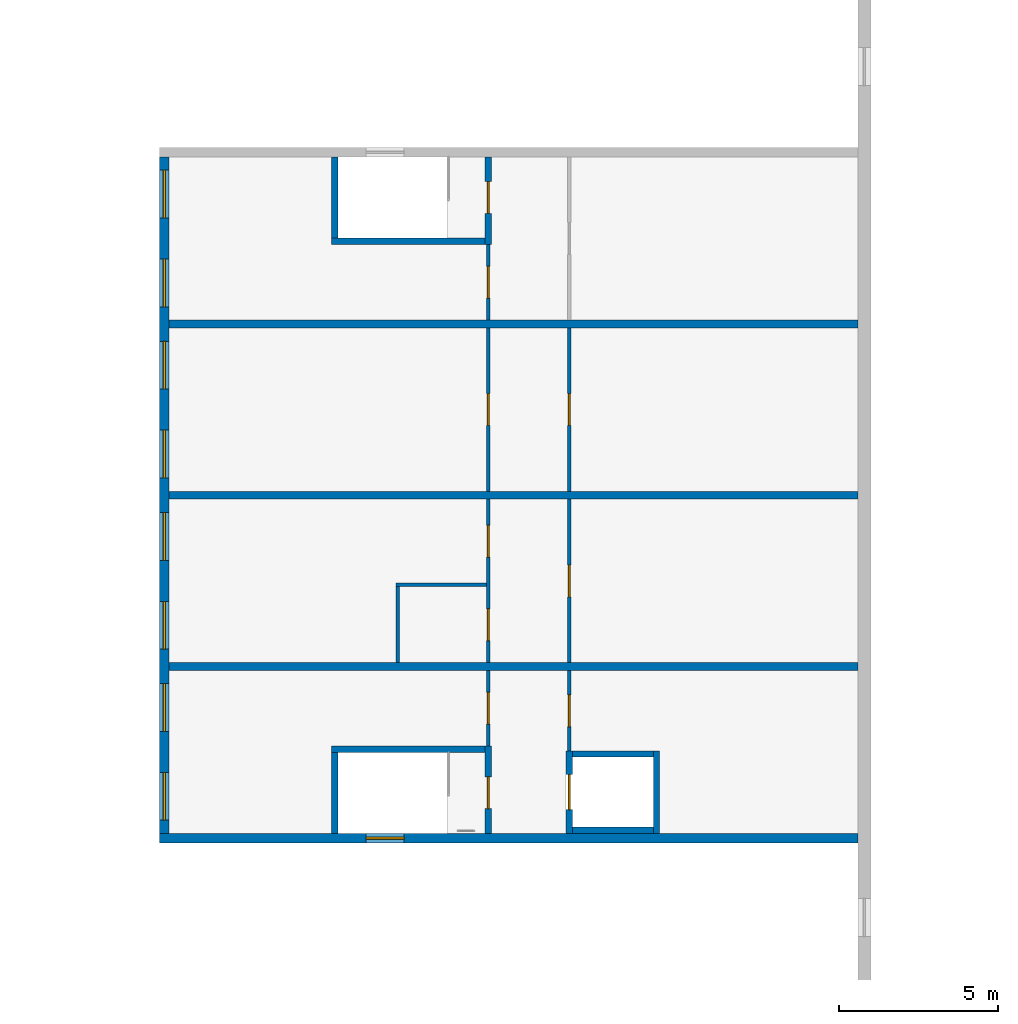
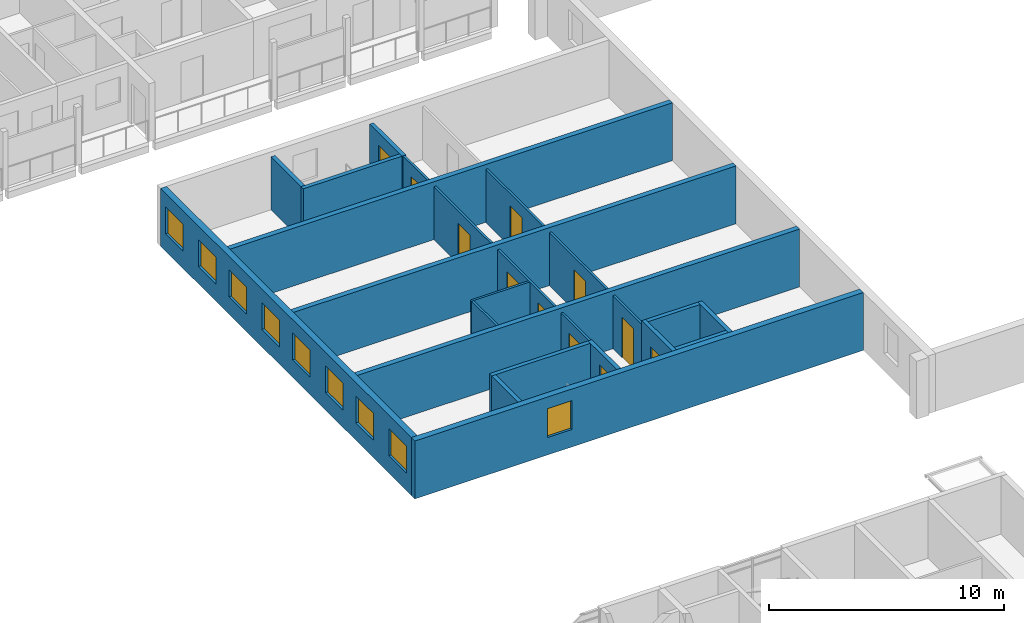
# One storey, part 58 of 122: 24 walls, 11 doors, 9 windows, 20 openings.
"""IFC4 building model written with IfcOpenShell, lengths in metres."""

import ifcopenshell
import ifcopenshell.guid

model = None  # the IFC model being written
_history = None  # IfcOwnerHistory: only IFC2X3 demands one
_inside = {}  # id of a spatial element -> (the spatial element, [elements in it])
_under = {}  # id of a project, library or spatial element -> (it, [spatial elements below it])
_declared = {}  # id of a project -> (the project, [libraries it declares])
_typed = {}  # id of a type object -> (the type object, [elements of that type])
_made_of = {}  # id of a material, layer set ... -> (it, [elements and type objects made of it])


def new_model(schema):
    """Start an empty IFC model of exactly this schema.

    Asked for "IFC4X3", IfcOpenShell would pick the latest addendum, in which some entities
    have other attributes; the version numbers below select the first issue.
    IFC2X3 requires an IfcOwnerHistory on every rooted entity: one is made here for all.
    """
    global model, _history
    if schema == "IFC4X3":
        model = ifcopenshell.file(schema_version=(4, 3, 0, 0))
    else:
        model = ifcopenshell.file(schema=schema)
    _inside.clear()
    _under.clear()
    _declared.clear()
    _typed.clear()
    _made_of.clear()
    _history = None
    if model.schema == "IFC2X3":
        org = make("IfcOrganization", Name="unknown")
        user = make(
            "IfcPersonAndOrganization",
            ThePerson=make("IfcPerson", FamilyName="unknown"),
            TheOrganization=org,
        )
        app = make(
            "IfcApplication",
            ApplicationDeveloper=org,
            Version="unknown",
            ApplicationFullName="unknown",
            ApplicationIdentifier="unknown",
        )
        _history = make(
            "IfcOwnerHistory",
            OwningUser=user,
            OwningApplication=app,
            ChangeAction="ADDED",
            CreationDate=0,
        )
    return model


def make(cls, **values):
    """One entity of the class cls with the attributes given. An attribute that is None is left unset."""
    return model.create_entity(
        cls, **{name: value for name, value in values.items() if value is not None}
    )


def rooted(cls, **values):
    """An entity with a GlobalId (a new one), such as an element, a storey or a relation."""
    return make(cls, GlobalId=ifcopenshell.guid.new(), OwnerHistory=_history, **values)


def si_unit(unit_type, name, prefix=None):
    """IfcSIUnit, for example si_unit("LENGTHUNIT", "METRE", prefix="MILLI")."""
    return make("IfcSIUnit", UnitType=unit_type, Prefix=prefix, Name=name)


def assignment(units):
    """IfcUnitAssignment: the units of a project."""
    return None if units is None else make("IfcUnitAssignment", Units=units)


def point(xyz):
    """IfcCartesianPoint."""
    return None if xyz is None else make("IfcCartesianPoint", Coordinates=xyz)


def direction(xyz):
    """IfcDirection."""
    return None if xyz is None else make("IfcDirection", DirectionRatios=xyz)


def frame(location, z_axis=None, x_axis=None):
    """IfcAxis2Placement3D, a coordinate frame: its origin and axes. An axis left out is left unset."""
    return make(
        "IfcAxis2Placement3D",
        Location=point(location),
        Axis=direction(z_axis),
        RefDirection=direction(x_axis),
    )


def frame_2d(location, x_axis=None):
    """IfcAxis2Placement2D, a coordinate frame in the plane: its origin and x axis."""
    return make(
        "IfcAxis2Placement2D", Location=point(location), RefDirection=direction(x_axis)
    )


def origin():
    """The frame at (0, 0, 0) with its axes left unset."""
    return frame((0.0, 0.0, 0.0))


def place(relative_to, where):
    """IfcLocalPlacement: puts the frame where relative to a parent placement (None: the world)."""
    return make(
        "IfcLocalPlacement", PlacementRelTo=relative_to, RelativePlacement=where
    )


def context(
    kind, dimensions, precision=None, world=None, true_north=None, identifier=None
):
    """IfcGeometricRepresentationContext, for example the 3D "Model" context."""
    return make(
        "IfcGeometricRepresentationContext",
        ContextIdentifier=identifier,
        ContextType=kind,
        CoordinateSpaceDimension=dimensions,
        Precision=precision,
        WorldCoordinateSystem=world,
        TrueNorth=true_north,
    )


def subcontext(parent, identifier, kind, view, scale=None):
    """IfcGeometricRepresentationSubContext, for example "Body" below "Model"."""
    return make(
        "IfcGeometricRepresentationSubContext",
        ContextIdentifier=identifier,
        ContextType=kind,
        ParentContext=parent,
        TargetScale=scale,
        TargetView=view,
    )


def project(units=None, contexts=None):
    """IfcProject with its units and contexts."""
    return rooted(
        "IfcProject",
        Name="project",
        RepresentationContexts=contexts,
        UnitsInContext=assignment(units),
    )


def spatial(cls, under=None, at=None, **own):
    """A site, building, storey or space (cls), placed at a placement, below another one or the project."""
    s = rooted(cls, ObjectPlacement=at, **own)
    if under is not None:
        _under.setdefault(under.id(), (under, []))[1].append(s)
    return s


def profile(cls, at=None, kind="AREA", **sizes):
    """A parametric profile (cls). Its sizes go by their IFC names, for example OverallWidth=200.0."""
    return make(cls, ProfileType=kind, Position=at, **sizes)


def rectangle(**sizes):
    """IfcRectangleProfileDef."""
    return profile("IfcRectangleProfileDef", **sizes)


def extrude(swept, where, along, depth):
    """IfcExtrudedAreaSolid: the profile swept, set in the frame where, extruded along a direction by depth."""
    return make(
        "IfcExtrudedAreaSolid",
        SweptArea=swept,
        Position=where,
        ExtrudedDirection=direction(along),
        Depth=depth,
    )


def shape(context_of_items, identifier, shape_type, items):
    """IfcShapeRepresentation: the items that make up one representation, for example the "Body"."""
    return make(
        "IfcShapeRepresentation",
        ContextOfItems=context_of_items,
        RepresentationIdentifier=identifier,
        RepresentationType=shape_type,
        Items=items,
    )


def material(Name=None, Category=None):
    """IfcMaterial."""
    return make("IfcMaterial", Name=Name, Category=Category)


def layer(
    of_material, thickness, ventilated=None, Name=None, Category=None, Priority=None
):
    """IfcMaterialLayer: one layer of a wall or slab, of a material (None: an air gap)."""
    return make(
        "IfcMaterialLayer",
        Material=of_material,
        LayerThickness=thickness,
        IsVentilated=ventilated,
        Name=Name,
        Category=Category,
        Priority=Priority,
    )


def layer_set(layers, Name=None):
    """IfcMaterialLayerSet."""
    return make("IfcMaterialLayerSet", MaterialLayers=layers, LayerSetName=Name)


def made_of(thing, what):
    """Note that an element or type object is made of a material, layer set ...; save() writes the relation."""
    if what is not None:
        _made_of.setdefault(what.id(), (what, []))[1].append(thing)
    return thing


def type_object(cls, material=None, **own):
    """A type object (cls), such as IfcWallType, which elements share."""
    return made_of(rooted(cls, **own), material)


def element(
    cls,
    number,
    at=None,
    inside=None,
    cuts=None,
    type_object=None,
    material=None,
    context=None,
    identifier="Body",
    shape_type=None,
    held_by="IfcProductDefinitionShape",
    body=None,
    shapes=None,
    **own,
):
    """One element of the class cls, such as IfcWall. Its Tag is "e" and its number.

    at: its placement. inside: the storey or other place that contains it. cuts: it is an
    opening in that element (IfcRelVoidsElement). A single representation is given by context,
    identifier, shape_type and body (its items); several are given by shapes. held_by: the class
    of the entity that holds the representations. save() writes the other relations.
    """
    e = rooted(cls, Tag="e%d" % number, ObjectPlacement=at, **own)
    if body is not None:
        shapes = [shape(context, identifier, shape_type, body)]
    if shapes is not None:
        e.Representation = make(held_by, Representations=shapes)
    if inside is not None:
        _inside.setdefault(inside.id(), (inside, []))[1].append(e)
    if cuts is not None:
        rooted(
            "IfcRelVoidsElement", RelatingBuildingElement=cuts, RelatedOpeningElement=e
        )
    if type_object is not None:
        _typed.setdefault(type_object.id(), (type_object, []))[1].append(e)
    return made_of(e, material)


def fill(opening, filler):
    """IfcRelFillsElement: the door or window that sits in an opening."""
    return rooted(
        "IfcRelFillsElement",
        RelatingOpeningElement=opening,
        RelatedBuildingElement=filler,
    )


def aggregate(whole, parts):
    """IfcRelAggregates: a whole, such as a stair, and the parts it consists of."""
    return rooted("IfcRelAggregates", RelatingObject=whole, RelatedObjects=parts)


def save(model, path):
    """Write the relations noted so far, then the file.

    IfcRelAggregates (storeys below a building ...), IfcRelContainedInSpatialStructure (elements
    in a storey), IfcRelDefinesByType, IfcRelAssociatesMaterial and IfcRelDeclares: one each for
    every whole, place, type object, material and project.
    """
    for whole, parts in _under.values():
        aggregate(whole, parts)
    for where, things in _inside.values():
        rooted(
            "IfcRelContainedInSpatialStructure",
            RelatedElements=things,
            RelatingStructure=where,
        )
    for kind, things in _typed.values():
        rooted("IfcRelDefinesByType", RelatedObjects=things, RelatingType=kind)
    for what, things in _made_of.values():
        rooted("IfcRelAssociatesMaterial", RelatedObjects=things, RelatingMaterial=what)
    for by, libraries in _declared.values():
        rooted("IfcRelDeclares", RelatingContext=by, RelatedDefinitions=libraries)
    model.write(path)


model = new_model("IFC4")

# Units and contexts
model_context = context("Model", 3, precision=1e-05, world=origin(), true_north=direction((0.0, 1.0)))
body_context = subcontext(model_context, "Body", "Model", "MODEL_VIEW")
ifc_project = project(units=[si_unit("LENGTHUNIT", "METRE"), si_unit("AREAUNIT", "SQUARE_METRE"), si_unit("VOLUMEUNIT", "CUBIC_METRE"), si_unit("PLANEANGLEUNIT", "RADIAN"), si_unit("MASSUNIT", "GRAM", prefix="KILO")], contexts=[model_context])

# Site, building, storey
site_placement = place(None, origin())
site = spatial("IfcSite", under=ifc_project, at=site_placement, CompositionType="ELEMENT")
building_placement = place(site_placement, origin())
building = spatial("IfcBuilding", under=site, at=building_placement, Name="Ridgestep Commons", CompositionType="ELEMENT")
storey_placement = place(building_placement, frame((0.0, 0.0, 3.0)))
storey = spatial("IfcBuildingStorey", under=building, at=storey_placement, Name="L01", CompositionType="ELEMENT", Elevation=3.0)

# Walls
ifc_material_1 = material(Name="Precast concrete C40/50", Category="concrete")
ifc_layer_1 = layer(ifc_material_1, 0.25)
ifc_layer_set_1 = layer_set([ifc_layer_1], Name="Annex cross wall 250")
wall_type_1 = type_object("IfcWallType", Name="Annex cross wall 250", PredefinedType="SOLIDWALL", material=ifc_layer_set_1)
for number, where, z_axis, x_axis, name in (
    (1, (114.39990234375, 43.0, 0.0), (0.0, 0.0, 1.0), (-1.0, 0.0, 0.0), "Annex cross wall 250"),
    (2, (114.39990234375, 48.39990234375, 0.0), (0.0, 0.0, 1.0), (-1.0, 0.0, 0.0), "Annex cross wall 250"),
    (3, (114.39990234375, 53.800048828125, 0.0), (0.0, 0.0, 1.0), (-1.0, 0.0, 0.0), "Annex cross wall 250"),
):
    element("IfcWall", number, at=place(storey_placement, frame(where, z_axis=z_axis, x_axis=x_axis)), inside=storey, type_object=wall_type_1, Name=name, PredefinedType="SOLIDWALL", context=body_context, shape_type="SweptSolid", body=[
        extrude(rectangle(XDim=21.699951171875, YDim=0.25, at=frame_2d((10.85009765625, 0.0))), origin(), (0.0, 0.0, 1.0), 3.0),
    ])

# Wall, opening, window
ifc_material_2 = material(Name="Precast concrete C40/50", Category="concrete")
ifc_layer_2 = layer(ifc_material_2, 0.300048828125)
ifc_layer_set_2 = layer_set([ifc_layer_2], Name="Annex wall 300")
wall_type_2 = type_object("IfcWallType", Name="Annex wall 300", PredefinedType="SOLIDWALL", material=ifc_layer_set_2)
wall_1_placement = place(storey_placement, frame((114.39990234375, 37.60009765625, 0.0), z_axis=(0.0, 0.0, 1.0), x_axis=(-1.0, 0.0, 0.0)))
wall_1 = element("IfcWall", 4, at=wall_1_placement, inside=storey, type_object=wall_type_2, Name="Annex wall 300", PredefinedType="SOLIDWALL", context=body_context, shape_type="SweptSolid", body=[
    extrude(rectangle(XDim=22.0, YDim=0.300048828125, at=frame_2d((11.0, 0.0))), origin(), (0.0, 0.0, 1.0), 3.0),
])
opening_1_placement = place(wall_1_placement, frame((14.298095703125, 0.0, 0.89990234375)))
opening_1 = element("IfcOpeningElement", 5, at=opening_1_placement, cuts=wall_1, Name="Opening WK1", PredefinedType="OPENING", context=body_context, shape_type="SweptSolid", body=[
    extrude(rectangle(XDim=1.199951171875, YDim=1.5, at=frame_2d((0.60009765625, 0.75))), frame((0.0, 0.159912109375, 0.0), z_axis=(0.0, -1.0, 0.0), x_axis=(1.0, 0.0, 0.0)), (0.0, 0.0, 1.0), 0.320068359375),
])
ifc_material_3 = material(Name="Aluminium and glass", Category="aluminium")
window_type_1 = type_object("IfcWindowType", Name="Community window 1200 x 1500", PartitioningType="SINGLE_PANEL", PredefinedType="WINDOW", material=ifc_material_3)
window_1_placement = place(opening_1_placement, origin())
window_1 = element("IfcWindow", 6, at=window_1_placement, inside=storey, type_object=window_type_1, Name="Community window 1200 x 1500", OverallHeight=1.5, OverallWidth=1.199951171875, PartitioningType="SINGLE_PANEL", PredefinedType="WINDOW", context=body_context, shape_type="SweptSolid", body=[
    extrude(rectangle(XDim=1.199951171875, YDim=1.5, at=frame_2d((0.60009765625, 0.75))), frame((0.0, 0.030029296875, 0.0), z_axis=(0.0, -1.0, 0.0), x_axis=(1.0, 0.0, 0.0)), (0.0, 0.0, 1.0), 0.06005859375),
])
fill(opening_1, window_1)

# Wall, openings, windows
wall_2_placement = place(storey_placement, frame((92.550048828125, 37.75, 0.0), z_axis=(0.0, 0.0, 1.0), x_axis=(0.0, 1.0, 0.0)))
wall_2 = element("IfcWall", 7, at=wall_2_placement, inside=storey, type_object=wall_type_2, Name="Annex wall 300", PredefinedType="SOLIDWALL", context=body_context, shape_type="SweptSolid", body=[
    extrude(rectangle(XDim=21.300048828125, YDim=0.300048828125, at=frame_2d((10.64990234375, 0.0))), origin(), (0.0, 0.0, 1.0), 3.0),
])
opening_2_placement = place(wall_2_placement, frame((0.41259765625, 0.0, 0.89990234375)))
opening_2 = element("IfcOpeningElement", 8, at=opening_2_placement, cuts=wall_2, Name="Opening WK2", PredefinedType="OPENING", context=body_context, shape_type="SweptSolid", body=[
    extrude(rectangle(XDim=1.5, YDim=1.39990234375, at=frame_2d((0.75, 0.699951171875))), frame((0.0, 0.159912109375, 0.0), z_axis=(0.0, -1.0, 0.0), x_axis=(1.0, 0.0, 0.0)), (0.0, 0.0, 1.0), 0.320068359375),
])
opening_3_placement = place(wall_2_placement, frame((3.21240234375, 0.0, 0.89990234375)))
opening_3 = element("IfcOpeningElement", 9, at=opening_3_placement, cuts=wall_2, Name="Opening WK2", PredefinedType="OPENING", context=body_context, shape_type="SweptSolid", body=[
    extrude(rectangle(XDim=1.5, YDim=1.39990234375, at=frame_2d((0.75, 0.699951171875))), frame((0.0, 0.159912109375, 0.0), z_axis=(0.0, -1.0, 0.0), x_axis=(1.0, 0.0, 0.0)), (0.0, 0.0, 1.0), 0.320068359375),
])
opening_4_placement = place(wall_2_placement, frame((5.800048828125, 0.0, 0.89990234375)))
opening_4 = element("IfcOpeningElement", 10, at=opening_4_placement, cuts=wall_2, Name="Opening WK2", PredefinedType="OPENING", context=body_context, shape_type="SweptSolid", body=[
    extrude(rectangle(XDim=1.5, YDim=1.39990234375, at=frame_2d((0.75, 0.699951171875))), frame((0.0, 0.159912109375, 0.0), z_axis=(0.0, -1.0, 0.0), x_axis=(1.0, 0.0, 0.0)), (0.0, 0.0, 1.0), 0.320068359375),
])
opening_5_placement = place(wall_2_placement, frame((8.60009765625, 0.0, 0.89990234375)))
opening_5 = element("IfcOpeningElement", 11, at=opening_5_placement, cuts=wall_2, Name="Opening WK2", PredefinedType="OPENING", context=body_context, shape_type="SweptSolid", body=[
    extrude(rectangle(XDim=1.5, YDim=1.39990234375, at=frame_2d((0.75, 0.699951171875))), frame((0.0, 0.159912109375, 0.0), z_axis=(0.0, -1.0, 0.0), x_axis=(1.0, 0.0, 0.0)), (0.0, 0.0, 1.0), 0.320068359375),
])
opening_6_placement = place(wall_2_placement, frame((11.199951171875, 0.0, 0.89990234375)))
opening_6 = element("IfcOpeningElement", 12, at=opening_6_placement, cuts=wall_2, Name="Opening WK2", PredefinedType="OPENING", context=body_context, shape_type="SweptSolid", body=[
    extrude(rectangle(XDim=1.5, YDim=1.39990234375, at=frame_2d((0.75, 0.699951171875))), frame((0.0, 0.159912109375, 0.0), z_axis=(0.0, -1.0, 0.0), x_axis=(1.0, 0.0, 0.0)), (0.0, 0.0, 1.0), 0.320068359375),
])
opening_7_placement = place(wall_2_placement, frame((14.0, 0.0, 0.89990234375)))
opening_7 = element("IfcOpeningElement", 13, at=opening_7_placement, cuts=wall_2, Name="Opening WK2", PredefinedType="OPENING", context=body_context, shape_type="SweptSolid", body=[
    extrude(rectangle(XDim=1.5, YDim=1.39990234375, at=frame_2d((0.75, 0.699951171875))), frame((0.0, 0.159912109375, 0.0), z_axis=(0.0, -1.0, 0.0), x_axis=(1.0, 0.0, 0.0)), (0.0, 0.0, 1.0), 0.320068359375),
])
opening_8_placement = place(wall_2_placement, frame((16.58740234375, 0.0, 0.89990234375)))
opening_8 = element("IfcOpeningElement", 14, at=opening_8_placement, cuts=wall_2, Name="Opening WK2", PredefinedType="OPENING", context=body_context, shape_type="SweptSolid", body=[
    extrude(rectangle(XDim=1.5, YDim=1.39990234375, at=frame_2d((0.75, 0.699951171875))), frame((0.0, 0.159912109375, 0.0), z_axis=(0.0, -1.0, 0.0), x_axis=(1.0, 0.0, 0.0)), (0.0, 0.0, 1.0), 0.320068359375),
])
opening_9_placement = place(wall_2_placement, frame((19.387451171875, 0.0, 0.89990234375)))
opening_9 = element("IfcOpeningElement", 15, at=opening_9_placement, cuts=wall_2, Name="Opening WK2", PredefinedType="OPENING", context=body_context, shape_type="SweptSolid", body=[
    extrude(rectangle(XDim=1.5, YDim=1.39990234375, at=frame_2d((0.75, 0.699951171875))), frame((0.0, 0.159912109375, 0.0), z_axis=(0.0, -1.0, 0.0), x_axis=(1.0, 0.0, 0.0)), (0.0, 0.0, 1.0), 0.320068359375),
])
ifc_material_4 = material(Name="Aluminium and glass", Category="aluminium")
window_type_2 = type_object("IfcWindowType", Name="Community window 1500 x 1400", PartitioningType="DOUBLE_PANEL_HORIZONTAL", PredefinedType="WINDOW", material=ifc_material_4)
window_2_placement = place(opening_2_placement, origin())
window_2 = element("IfcWindow", 16, at=window_2_placement, inside=storey, type_object=window_type_2, Name="Community window 1500 x 1400", OverallHeight=1.39990234375, OverallWidth=1.5, PartitioningType="SINGLE_PANEL", PredefinedType="WINDOW", context=body_context, shape_type="SweptSolid", body=[
    extrude(rectangle(XDim=1.5, YDim=1.39990234375, at=frame_2d((0.75, 0.699951171875))), frame((0.0, 0.030029296875, 0.0), z_axis=(0.0, -1.0, 0.0), x_axis=(1.0, 0.0, 0.0)), (0.0, 0.0, 1.0), 0.06005859375),
])
fill(opening_2, window_2)
window_3_placement = place(opening_3_placement, origin())
window_3 = element("IfcWindow", 17, at=window_3_placement, inside=storey, type_object=window_type_2, Name="Community window 1500 x 1400", OverallHeight=1.39990234375, OverallWidth=1.5, PartitioningType="SINGLE_PANEL", PredefinedType="WINDOW", context=body_context, shape_type="SweptSolid", body=[
    extrude(rectangle(XDim=1.5, YDim=1.39990234375, at=frame_2d((0.75, 0.699951171875))), frame((0.0, 0.030029296875, 0.0), z_axis=(0.0, -1.0, 0.0), x_axis=(1.0, 0.0, 0.0)), (0.0, 0.0, 1.0), 0.06005859375),
])
fill(opening_3, window_3)
window_4_placement = place(opening_4_placement, origin())
window_4 = element("IfcWindow", 18, at=window_4_placement, inside=storey, type_object=window_type_2, Name="Community window 1500 x 1400", OverallHeight=1.39990234375, OverallWidth=1.5, PartitioningType="SINGLE_PANEL", PredefinedType="WINDOW", context=body_context, shape_type="SweptSolid", body=[
    extrude(rectangle(XDim=1.5, YDim=1.39990234375, at=frame_2d((0.75, 0.699951171875))), frame((0.0, 0.030029296875, 0.0), z_axis=(0.0, -1.0, 0.0), x_axis=(1.0, 0.0, 0.0)), (0.0, 0.0, 1.0), 0.06005859375),
])
fill(opening_4, window_4)
window_5_placement = place(opening_5_placement, origin())
window_5 = element("IfcWindow", 19, at=window_5_placement, inside=storey, type_object=window_type_2, Name="Community window 1500 x 1400", OverallHeight=1.39990234375, OverallWidth=1.5, PartitioningType="SINGLE_PANEL", PredefinedType="WINDOW", context=body_context, shape_type="SweptSolid", body=[
    extrude(rectangle(XDim=1.5, YDim=1.39990234375, at=frame_2d((0.75, 0.699951171875))), frame((0.0, 0.030029296875, 0.0), z_axis=(0.0, -1.0, 0.0), x_axis=(1.0, 0.0, 0.0)), (0.0, 0.0, 1.0), 0.06005859375),
])
fill(opening_5, window_5)
window_6_placement = place(opening_6_placement, origin())
window_6 = element("IfcWindow", 20, at=window_6_placement, inside=storey, type_object=window_type_2, Name="Community window 1500 x 1400", OverallHeight=1.39990234375, OverallWidth=1.5, PartitioningType="SINGLE_PANEL", PredefinedType="WINDOW", context=body_context, shape_type="SweptSolid", body=[
    extrude(rectangle(XDim=1.5, YDim=1.39990234375, at=frame_2d((0.75, 0.699951171875))), frame((0.0, 0.030029296875, 0.0), z_axis=(0.0, -1.0, 0.0), x_axis=(1.0, 0.0, 0.0)), (0.0, 0.0, 1.0), 0.06005859375),
])
fill(opening_6, window_6)
window_7_placement = place(opening_7_placement, origin())
window_7 = element("IfcWindow", 21, at=window_7_placement, inside=storey, type_object=window_type_2, Name="Community window 1500 x 1400", OverallHeight=1.39990234375, OverallWidth=1.5, PartitioningType="SINGLE_PANEL", PredefinedType="WINDOW", context=body_context, shape_type="SweptSolid", body=[
    extrude(rectangle(XDim=1.5, YDim=1.39990234375, at=frame_2d((0.75, 0.699951171875))), frame((0.0, 0.030029296875, 0.0), z_axis=(0.0, -1.0, 0.0), x_axis=(1.0, 0.0, 0.0)), (0.0, 0.0, 1.0), 0.06005859375),
])
fill(opening_7, window_7)
window_8_placement = place(opening_8_placement, origin())
window_8 = element("IfcWindow", 22, at=window_8_placement, inside=storey, type_object=window_type_2, Name="Community window 1500 x 1400", OverallHeight=1.39990234375, OverallWidth=1.5, PartitioningType="SINGLE_PANEL", PredefinedType="WINDOW", context=body_context, shape_type="SweptSolid", body=[
    extrude(rectangle(XDim=1.5, YDim=1.39990234375, at=frame_2d((0.75, 0.699951171875))), frame((0.0, 0.030029296875, 0.0), z_axis=(0.0, -1.0, 0.0), x_axis=(1.0, 0.0, 0.0)), (0.0, 0.0, 1.0), 0.06005859375),
])
fill(opening_8, window_8)
window_9_placement = place(opening_9_placement, origin())
window_9 = element("IfcWindow", 23, at=window_9_placement, inside=storey, type_object=window_type_2, Name="Community window 1500 x 1400", OverallHeight=1.39990234375, OverallWidth=1.5, PartitioningType="SINGLE_PANEL", PredefinedType="WINDOW", context=body_context, shape_type="SweptSolid", body=[
    extrude(rectangle(XDim=1.5, YDim=1.39990234375, at=frame_2d((0.75, 0.699951171875))), frame((0.0, 0.030029296875, 0.0), z_axis=(0.0, -1.0, 0.0), x_axis=(1.0, 0.0, 0.0)), (0.0, 0.0, 1.0), 0.06005859375),
])
fill(opening_9, window_9)

# Wall, opening, door
ifc_material_5 = material(Name="Common brick 110 mm", Category="masonry")
ifc_layer_3 = layer(ifc_material_5, 0.110107421875)
ifc_layer_set_3 = layer_set([ifc_layer_3], Name="Community partition 110")
wall_type_3 = type_object("IfcWallType", Name="Community partition 110", PredefinedType="PARTITIONING", material=ifc_layer_set_3)
wall_3_placement = place(storey_placement, frame((105.300048828125, 40.35009765625, 0.0), z_axis=(0.0, 0.0, 1.0), x_axis=(0.0, 1.0, 0.0)))
wall_3 = element("IfcWall", 24, at=wall_3_placement, inside=storey, type_object=wall_type_3, Name="Community partition 110", PredefinedType="PARTITIONING", context=body_context, shape_type="SweptSolid", body=[
    extrude(rectangle(XDim=2.52490234375, YDim=0.110107421875, at=frame_2d((1.262451171875, 0.0))), origin(), (0.0, 0.0, 1.0), 2.75),
])
opening_10_placement = place(wall_3_placement, frame((0.762451171875, 0.0, 0.0)))
opening_10 = element("IfcOpeningElement", 25, at=opening_10_placement, cuts=wall_3, Name="Opening C063", PredefinedType="OPENING", context=body_context, shape_type="SweptSolid", body=[
    extrude(rectangle(XDim=1.0, YDim=2.10009765625, at=frame_2d((0.5, 1.050048828125))), frame((0.0, 0.06494140625, 0.0), z_axis=(0.0, -1.0, 0.0), x_axis=(1.0, 0.0, 0.0)), (0.0, 0.0, 1.0), 0.130126953125),
])
ifc_material_6 = material(Name="Timber and steel", Category="steel")
door_type_1 = type_object("IfcDoorType", Name="Community fire door 1000 x 2100", OperationType="SINGLE_SWING_LEFT", PredefinedType="DOOR", material=ifc_material_6)
door_1_placement = place(opening_10_placement, origin())
door_1 = element("IfcDoor", 26, at=door_1_placement, inside=storey, type_object=door_type_1, Name="Community fire door 1000 x 2100", OperationType="SINGLE_SWING_RIGHT", OverallHeight=2.10009765625, OverallWidth=1.0, PredefinedType="DOOR", context=body_context, shape_type="SweptSolid", body=[
    extrude(rectangle(XDim=1.0, YDim=2.10009765625, at=frame_2d((0.5, 1.050048828125))), frame((0.0, 0.02490234375, 0.0), z_axis=(0.0, -1.0, 0.0), x_axis=(1.0, 0.0, 0.0)), (0.0, 0.0, 1.0), 0.050048828125),
])
fill(opening_10, door_1)

wall_4_placement = place(storey_placement, frame((105.300048828125, 43.125, 0.0), z_axis=(0.0, 0.0, 1.0), x_axis=(0.0, 1.0, 0.0)))
wall_4 = element("IfcWall", 27, at=wall_4_placement, inside=storey, type_object=wall_type_3, Name="Community partition 110", PredefinedType="PARTITIONING", context=body_context, shape_type="SweptSolid", body=[
    extrude(rectangle(XDim=5.14990234375, YDim=0.110107421875, at=frame_2d((2.574951171875, 0.0))), origin(), (0.0, 0.0, 1.0), 2.75),
])
opening_11_placement = place(wall_4_placement, frame((2.074951171875, 0.0, 0.0)))
opening_11 = element("IfcOpeningElement", 28, at=opening_11_placement, cuts=wall_4, Name="Opening C064", PredefinedType="OPENING", context=body_context, shape_type="SweptSolid", body=[
    extrude(rectangle(XDim=1.0, YDim=2.10009765625, at=frame_2d((0.5, 1.050048828125))), frame((0.0, 0.06494140625, 0.0), z_axis=(0.0, -1.0, 0.0), x_axis=(1.0, 0.0, 0.0)), (0.0, 0.0, 1.0), 0.130126953125),
])
door_2_placement = place(opening_11_placement, origin())
door_2 = element("IfcDoor", 29, at=door_2_placement, inside=storey, type_object=door_type_1, Name="Community fire door 1000 x 2100", OperationType="SINGLE_SWING_LEFT", OverallHeight=2.10009765625, OverallWidth=1.0, PredefinedType="DOOR", context=body_context, shape_type="SweptSolid", body=[
    extrude(rectangle(XDim=1.0, YDim=2.10009765625, at=frame_2d((0.5, 1.050048828125))), frame((0.0, 0.02490234375, 0.0), z_axis=(0.0, -1.0, 0.0), x_axis=(1.0, 0.0, 0.0)), (0.0, 0.0, 1.0), 0.050048828125),
])
fill(opening_11, door_2)

wall_5_placement = place(storey_placement, frame((105.300048828125, 48.52490234375, 0.0), z_axis=(0.0, 0.0, 1.0), x_axis=(0.0, 1.0, 0.0)))
wall_5 = element("IfcWall", 30, at=wall_5_placement, inside=storey, type_object=wall_type_3, Name="Community partition 110", PredefinedType="PARTITIONING", context=body_context, shape_type="SweptSolid", body=[
    extrude(rectangle(XDim=5.150146484375, YDim=0.110107421875, at=frame_2d((2.5751953125, 0.0))), origin(), (0.0, 0.0, 1.0), 2.75),
])
opening_12_placement = place(wall_5_placement, frame((2.074951171875, 0.0, 0.0)))
opening_12 = element("IfcOpeningElement", 31, at=opening_12_placement, cuts=wall_5, Name="Opening C065", PredefinedType="OPENING", context=body_context, shape_type="SweptSolid", body=[
    extrude(rectangle(XDim=1.0, YDim=2.10009765625, at=frame_2d((0.5, 1.050048828125))), frame((0.0, 0.06494140625, 0.0), z_axis=(0.0, -1.0, 0.0), x_axis=(1.0, 0.0, 0.0)), (0.0, 0.0, 1.0), 0.130126953125),
])
door_3_placement = place(opening_12_placement, origin())
door_3 = element("IfcDoor", 32, at=door_3_placement, inside=storey, type_object=door_type_1, Name="Community fire door 1000 x 2100", OperationType="SINGLE_SWING_RIGHT", OverallHeight=2.10009765625, OverallWidth=1.0, PredefinedType="DOOR", context=body_context, shape_type="SweptSolid", body=[
    extrude(rectangle(XDim=1.0, YDim=2.10009765625, at=frame_2d((0.5, 1.050048828125))), frame((0.0, 0.02490234375, 0.0), z_axis=(0.0, -1.0, 0.0), x_axis=(1.0, 0.0, 0.0)), (0.0, 0.0, 1.0), 0.050048828125),
])
fill(opening_12, door_3)

wall_6_placement = place(storey_placement, frame((102.75, 40.5, 0.0), z_axis=(0.0, 0.0, 1.0), x_axis=(0.0, 1.0, 0.0)))
wall_6 = element("IfcWall", 33, at=wall_6_placement, inside=storey, type_object=wall_type_3, Name="Community partition 110", PredefinedType="PARTITIONING", context=body_context, shape_type="SweptSolid", body=[
    extrude(rectangle(XDim=2.375, YDim=0.110107421875, at=frame_2d((1.1875, 0.0))), origin(), (0.0, 0.0, 1.0), 2.75),
])
opening_13_placement = place(wall_6_placement, frame((0.6875, 0.0, 0.0)))
opening_13 = element("IfcOpeningElement", 34, at=opening_13_placement, cuts=wall_6, Name="Opening C067", PredefinedType="OPENING", context=body_context, shape_type="SweptSolid", body=[
    extrude(rectangle(XDim=1.0, YDim=2.10009765625, at=frame_2d((0.5, 1.050048828125))), frame((0.0, 0.06494140625, 0.0), z_axis=(0.0, -1.0, 0.0), x_axis=(1.0, 0.0, 0.0)), (0.0, 0.0, 1.0), 0.130126953125),
])
door_4_placement = place(opening_13_placement, origin())
door_4 = element("IfcDoor", 35, at=door_4_placement, inside=storey, type_object=door_type_1, Name="Community fire door 1000 x 2100", OperationType="SINGLE_SWING_RIGHT", OverallHeight=2.10009765625, OverallWidth=1.0, PredefinedType="DOOR", context=body_context, shape_type="SweptSolid", body=[
    extrude(rectangle(XDim=1.0, YDim=2.10009765625, at=frame_2d((0.5, 1.050048828125))), frame((0.0, 0.02490234375, 0.0), z_axis=(0.0, -1.0, 0.0), x_axis=(1.0, 0.0, 0.0)), (0.0, 0.0, 1.0), 0.050048828125),
])
fill(opening_13, door_4)

# Wall, openings, doors
wall_7_placement = place(storey_placement, frame((102.75, 43.125, 0.0), z_axis=(0.0, 0.0, 1.0), x_axis=(0.0, 1.0, 0.0)))
wall_7 = element("IfcWall", 36, at=wall_7_placement, inside=storey, type_object=wall_type_3, Name="Community partition 110", PredefinedType="PARTITIONING", context=body_context, shape_type="SweptSolid", body=[
    extrude(rectangle(XDim=5.14990234375, YDim=0.110107421875, at=frame_2d((2.574951171875, 0.0))), origin(), (0.0, 0.0, 1.0), 2.75),
])
opening_14_placement = place(wall_7_placement, frame((0.697509765625, 0.0, 0.0)))
opening_14 = element("IfcOpeningElement", 37, at=opening_14_placement, cuts=wall_7, Name="Opening C068", PredefinedType="OPENING", context=body_context, shape_type="SweptSolid", body=[
    extrude(rectangle(XDim=1.0, YDim=2.10009765625, at=frame_2d((0.5, 1.050048828125))), frame((0.0, 0.06494140625, 0.0), z_axis=(0.0, -1.0, 0.0), x_axis=(1.0, 0.0, 0.0)), (0.0, 0.0, 1.0), 0.130126953125),
])
opening_15_placement = place(wall_7_placement, frame((3.327392578125, 0.0, 0.0)))
opening_15 = element("IfcOpeningElement", 38, at=opening_15_placement, cuts=wall_7, Name="Opening C069", PredefinedType="OPENING", context=body_context, shape_type="SweptSolid", body=[
    extrude(rectangle(XDim=1.0, YDim=2.10009765625, at=frame_2d((0.5, 1.050048828125))), frame((0.0, 0.06494140625, 0.0), z_axis=(0.0, -1.0, 0.0), x_axis=(1.0, 0.0, 0.0)), (0.0, 0.0, 1.0), 0.130126953125),
])
door_5_placement = place(opening_14_placement, origin())
door_5 = element("IfcDoor", 39, at=door_5_placement, inside=storey, type_object=door_type_1, Name="Community fire door 1000 x 2100", OperationType="SINGLE_SWING_LEFT", OverallHeight=2.10009765625, OverallWidth=1.0, PredefinedType="DOOR", context=body_context, shape_type="SweptSolid", body=[
    extrude(rectangle(XDim=1.0, YDim=2.10009765625, at=frame_2d((0.5, 1.050048828125))), frame((0.0, 0.02490234375, 0.0), z_axis=(0.0, -1.0, 0.0), x_axis=(1.0, 0.0, 0.0)), (0.0, 0.0, 1.0), 0.050048828125),
])
fill(opening_14, door_5)
door_6_placement = place(opening_15_placement, origin())
door_6 = element("IfcDoor", 40, at=door_6_placement, inside=storey, type_object=door_type_1, Name="Community fire door 1000 x 2100", OperationType="SINGLE_SWING_RIGHT", OverallHeight=2.10009765625, OverallWidth=1.0, PredefinedType="DOOR", context=body_context, shape_type="SweptSolid", body=[
    extrude(rectangle(XDim=1.0, YDim=2.10009765625, at=frame_2d((0.5, 1.050048828125))), frame((0.0, 0.02490234375, 0.0), z_axis=(0.0, -1.0, 0.0), x_axis=(1.0, 0.0, 0.0)), (0.0, 0.0, 1.0), 0.050048828125),
])
fill(opening_15, door_6)

# Wall, opening, door
wall_8_placement = place(storey_placement, frame((102.75, 48.52490234375, 0.0), z_axis=(0.0, 0.0, 1.0), x_axis=(0.0, 1.0, 0.0)))
wall_8 = element("IfcWall", 41, at=wall_8_placement, inside=storey, type_object=wall_type_3, Name="Community partition 110", PredefinedType="PARTITIONING", context=body_context, shape_type="SweptSolid", body=[
    extrude(rectangle(XDim=5.150146484375, YDim=0.110107421875, at=frame_2d((2.5751953125, 0.0))), origin(), (0.0, 0.0, 1.0), 2.75),
])
opening_16_placement = place(wall_8_placement, frame((2.074951171875, 0.0, 0.0)))
opening_16 = element("IfcOpeningElement", 42, at=opening_16_placement, cuts=wall_8, Name="Opening C070", PredefinedType="OPENING", context=body_context, shape_type="SweptSolid", body=[
    extrude(rectangle(XDim=1.0, YDim=2.10009765625, at=frame_2d((0.5, 1.050048828125))), frame((0.0, 0.06494140625, 0.0), z_axis=(0.0, -1.0, 0.0), x_axis=(1.0, 0.0, 0.0)), (0.0, 0.0, 1.0), 0.130126953125),
])
door_7_placement = place(opening_16_placement, origin())
door_7 = element("IfcDoor", 43, at=door_7_placement, inside=storey, type_object=door_type_1, Name="Community fire door 1000 x 2100", OperationType="SINGLE_SWING_LEFT", OverallHeight=2.10009765625, OverallWidth=1.0, PredefinedType="DOOR", context=body_context, shape_type="SweptSolid", body=[
    extrude(rectangle(XDim=1.0, YDim=2.10009765625, at=frame_2d((0.5, 1.050048828125))), frame((0.0, 0.02490234375, 0.0), z_axis=(0.0, -1.0, 0.0), x_axis=(1.0, 0.0, 0.0)), (0.0, 0.0, 1.0), 0.050048828125),
])
fill(opening_16, door_7)

wall_9_placement = place(storey_placement, frame((102.75, 53.925048828125, 0.0), z_axis=(0.0, 0.0, 1.0), x_axis=(0.0, 1.0, 0.0)))
wall_9 = element("IfcWall", 44, at=wall_9_placement, inside=storey, type_object=wall_type_3, Name="Community partition 110", PredefinedType="PARTITIONING", context=body_context, shape_type="SweptSolid", body=[
    extrude(rectangle(XDim=2.375, YDim=0.110107421875, at=frame_2d((1.1875, 0.0))), origin(), (0.0, 0.0, 1.0), 2.75),
])
opening_17_placement = place(wall_9_placement, frame((0.6875, 0.0, 0.0)))
opening_17 = element("IfcOpeningElement", 45, at=opening_17_placement, cuts=wall_9, Name="Opening C071", PredefinedType="OPENING", context=body_context, shape_type="SweptSolid", body=[
    extrude(rectangle(XDim=1.0, YDim=2.10009765625, at=frame_2d((0.5, 1.050048828125))), frame((0.0, 0.06494140625, 0.0), z_axis=(0.0, -1.0, 0.0), x_axis=(1.0, 0.0, 0.0)), (0.0, 0.0, 1.0), 0.130126953125),
])
door_8_placement = place(opening_17_placement, origin())
door_8 = element("IfcDoor", 46, at=door_8_placement, inside=storey, type_object=door_type_1, Name="Community fire door 1000 x 2100", OperationType="SINGLE_SWING_LEFT", OverallHeight=2.10009765625, OverallWidth=1.0, PredefinedType="DOOR", context=body_context, shape_type="SweptSolid", body=[
    extrude(rectangle(XDim=1.0, YDim=2.10009765625, at=frame_2d((0.5, 1.050048828125))), frame((0.0, 0.02490234375, 0.0), z_axis=(0.0, -1.0, 0.0), x_axis=(1.0, 0.0, 0.0)), (0.0, 0.0, 1.0), 0.050048828125),
])
fill(opening_17, door_8)

# Walls
wall_10_placement = place(storey_placement, frame((102.695068359375, 45.574951171875, 0.0), z_axis=(0.0, 0.0, 1.0), x_axis=(-1.0, 0.0, 0.0)))
element("IfcWall", 47, at=wall_10_placement, inside=storey, type_object=wall_type_3, Name="Community partition 110", PredefinedType="PARTITIONING", context=body_context, shape_type="SweptSolid", body=[
    extrude(rectangle(XDim=2.85009765625, YDim=0.110107421875, at=frame_2d((1.425048828125, 0.0))), origin(), (0.0, 0.0, 1.0), 2.75),
])
wall_11_placement = place(storey_placement, frame((99.89990234375, 43.125, 0.0), z_axis=(0.0, 0.0, 1.0), x_axis=(0.0, 1.0, 0.0)))
element("IfcWall", 48, at=wall_11_placement, inside=storey, type_object=wall_type_3, Name="Community partition 110", PredefinedType="PARTITIONING", context=body_context, shape_type="SweptSolid", body=[
    extrude(rectangle(XDim=2.39501953125, YDim=0.110107421875, at=frame_2d((1.197509765625, 0.0))), origin(), (0.0, 0.0, 1.0), 2.75),
])
ifc_material_7 = material(Name="Concrete C30/37", Category="concrete")
ifc_layer_4 = layer(ifc_material_7, 0.199951171875)
ifc_layer_set_4 = layer_set([ifc_layer_4], Name="Community shaft wall 200")
wall_type_4 = type_object("IfcWallType", Name="Community shaft wall 200", PredefinedType="SOLIDWALL", material=ifc_layer_set_4)
for number, where, z_axis, x_axis, name in (
    (49, (107.949951171875, 40.25, 0.0), (0.0, 0.0, 1.0), (-1.0, 0.0, 0.0), "Community shaft wall 200"),
    (50, (107.949951171875, 37.85009765625, 0.0), (0.0, 0.0, 1.0), (-1.0, 0.0, 0.0), "Community shaft wall 200"),
):
    element("IfcWall", number, at=place(storey_placement, frame(where, z_axis=z_axis, x_axis=x_axis)), inside=storey, type_object=wall_type_4, Name=name, PredefinedType="SOLIDWALL", context=body_context, shape_type="SweptSolid", body=[
        extrude(rectangle(XDim=2.550048828125, YDim=0.199951171875, at=frame_2d((1.27490234375, 0.0))), origin(), (0.0, 0.0, 1.0), 3.0),
    ])
wall_12_placement = place(storey_placement, frame((108.050048828125, 37.75, 0.0), z_axis=(0.0, 0.0, 1.0), x_axis=(0.0, 1.0, 0.0)))
element("IfcWall", 51, at=wall_12_placement, inside=storey, type_object=wall_type_4, Name="Community shaft wall 200", PredefinedType="SOLIDWALL", context=body_context, shape_type="SweptSolid", body=[
    extrude(rectangle(XDim=2.60009765625, YDim=0.199951171875, at=frame_2d((1.300048828125, 0.0))), origin(), (0.0, 0.0, 1.0), 3.0),
])

# Wall, opening, door
wall_13_placement = place(storey_placement, frame((105.300048828125, 37.75, 0.0), z_axis=(0.0, 0.0, 1.0), x_axis=(0.0, 1.0, 0.0)))
wall_13 = element("IfcWall", 52, at=wall_13_placement, inside=storey, type_object=wall_type_4, Name="Community shaft wall 200", PredefinedType="SOLIDWALL", context=body_context, shape_type="SweptSolid", body=[
    extrude(rectangle(XDim=2.60009765625, YDim=0.199951171875, at=frame_2d((1.300048828125, 0.0))), origin(), (0.0, 0.0, 1.0), 3.0),
])
opening_18_placement = place(wall_13_placement, frame((0.75, 0.0, 0.0)))
opening_18 = element("IfcOpeningElement", 53, at=opening_18_placement, cuts=wall_13, Name="Opening LC1/01/1", PredefinedType="OPENING", context=body_context, shape_type="SweptSolid", body=[
    extrude(rectangle(XDim=1.10009765625, YDim=2.10009765625, at=frame_2d((0.550048828125, 1.050048828125))), frame((0.0, 0.10986328125, 0.0), z_axis=(0.0, -1.0, 0.0), x_axis=(1.0, 0.0, 0.0)), (0.0, 0.0, 1.0), 0.219970703125),
])
ifc_material_8 = material(Name="Stainless steel", Category="steel")
door_type_2 = type_object("IfcDoorType", Name="Lift landing door 1100 x 2100 FD60", OperationType="DOUBLE_DOOR_SLIDING", PredefinedType="DOOR", material=ifc_material_8)
door_9_placement = place(opening_18_placement, origin())
door_9 = element("IfcDoor", 54, at=door_9_placement, inside=storey, type_object=door_type_2, Name="Lift landing door", OperationType="SLIDING_TO_LEFT", OverallHeight=2.10009765625, OverallWidth=1.10009765625, PredefinedType="DOOR", context=body_context, shape_type="SweptSolid", body=[
    extrude(rectangle(XDim=1.10009765625, YDim=2.10009765625, at=frame_2d((0.550048828125, 1.050048828125))), frame((0.0, 0.02490234375, 0.0), z_axis=(0.0, -1.0, 0.0), x_axis=(1.0, 0.0, 0.0)), (0.0, 0.0, 1.0), 0.050048828125),
])
fill(opening_18, door_9)

ifc_material_9 = material(Name="Concrete C30/37", Category="concrete")
ifc_layer_5 = layer(ifc_material_9, 0.199951171875)
ifc_layer_set_5 = layer_set([ifc_layer_5], Name="Community stair wall 200")
wall_type_5 = type_object("IfcWallType", Name="Community stair wall 200", PredefinedType="SOLIDWALL", material=ifc_layer_set_5)
wall_14_placement = place(storey_placement, frame((102.75, 37.75, 0.0), z_axis=(0.0, 0.0, 1.0), x_axis=(0.0, 1.0, 0.0)))
wall_14 = element("IfcWall", 55, at=wall_14_placement, inside=storey, type_object=wall_type_5, Name="Community stair wall 200", PredefinedType="SOLIDWALL", context=body_context, shape_type="SweptSolid", body=[
    extrude(rectangle(XDim=2.75, YDim=0.199951171875, at=frame_2d((1.375, 0.0))), origin(), (0.0, 0.0, 1.0), 2.75),
])
opening_19_placement = place(wall_14_placement, frame((0.77490234375, 0.0, 0.0)))
opening_19 = element("IfcOpeningElement", 56, at=opening_19_placement, cuts=wall_14, Name="Opening C072", PredefinedType="OPENING", context=body_context, shape_type="SweptSolid", body=[
    extrude(rectangle(XDim=1.0, YDim=2.10009765625, at=frame_2d((0.5, 1.050048828125))), frame((0.0, 0.10986328125, 0.0), z_axis=(0.0, -1.0, 0.0), x_axis=(1.0, 0.0, 0.0)), (0.0, 0.0, 1.0), 0.219970703125),
])
door_10_placement = place(opening_19_placement, origin())
door_10 = element("IfcDoor", 57, at=door_10_placement, inside=storey, type_object=door_type_1, Name="Community fire door 1000 x 2100", OperationType="SINGLE_SWING_LEFT", OverallHeight=2.10009765625, OverallWidth=1.0, PredefinedType="DOOR", context=body_context, shape_type="SweptSolid", body=[
    extrude(rectangle(XDim=1.0, YDim=2.10009765625, at=frame_2d((0.5, 1.050048828125))), frame((0.0, 0.02490234375, 0.0), z_axis=(0.0, -1.0, 0.0), x_axis=(1.0, 0.0, 0.0)), (0.0, 0.0, 1.0), 0.050048828125),
])
fill(opening_19, door_10)

wall_15_placement = place(storey_placement, frame((102.75, 56.300048828125, 0.0), z_axis=(0.0, 0.0, 1.0), x_axis=(0.0, 1.0, 0.0)))
wall_15 = element("IfcWall", 58, at=wall_15_placement, inside=storey, type_object=wall_type_5, Name="Community stair wall 200", PredefinedType="SOLIDWALL", context=body_context, shape_type="SweptSolid", body=[
    extrude(rectangle(XDim=2.75, YDim=0.199951171875, at=frame_2d((1.375, 0.0))), origin(), (0.0, 0.0, 1.0), 2.75),
])
opening_20_placement = place(wall_15_placement, frame((0.97509765625, 0.0, 0.0)))
opening_20 = element("IfcOpeningElement", 59, at=opening_20_placement, cuts=wall_15, Name="Opening C073", PredefinedType="OPENING", context=body_context, shape_type="SweptSolid", body=[
    extrude(rectangle(XDim=1.0, YDim=2.10009765625, at=frame_2d((0.5, 1.050048828125))), frame((0.0, 0.10986328125, 0.0), z_axis=(0.0, -1.0, 0.0), x_axis=(1.0, 0.0, 0.0)), (0.0, 0.0, 1.0), 0.219970703125),
])
door_11_placement = place(opening_20_placement, origin())
door_11 = element("IfcDoor", 60, at=door_11_placement, inside=storey, type_object=door_type_1, Name="Community fire door 1000 x 2100", OperationType="SINGLE_SWING_LEFT", OverallHeight=2.10009765625, OverallWidth=1.0, PredefinedType="DOOR", context=body_context, shape_type="SweptSolid", body=[
    extrude(rectangle(XDim=1.0, YDim=2.10009765625, at=frame_2d((0.5, 1.050048828125))), frame((0.0, 0.02490234375, 0.0), z_axis=(0.0, -1.0, 0.0), x_axis=(1.0, 0.0, 0.0)), (0.0, 0.0, 1.0), 0.050048828125),
])
fill(opening_20, door_11)

# Walls
wall_16_placement = place(storey_placement, frame((102.64990234375, 40.39990234375, 0.0), z_axis=(0.0, 0.0, 1.0), x_axis=(-1.0, 0.0, 0.0)))
element("IfcWall", 61, at=wall_16_placement, inside=storey, type_object=wall_type_5, Name="Community stair wall 200", PredefinedType="SOLIDWALL", context=body_context, shape_type="SweptSolid", body=[
    extrude(rectangle(XDim=4.83984375, YDim=0.199951171875, at=frame_2d((2.419921875, 0.0))), origin(), (0.0, 0.0, 1.0), 2.75),
])
wall_17_placement = place(storey_placement, frame((97.909912109375, 37.75, 0.0), z_axis=(0.0, 0.0, 1.0), x_axis=(0.0, 1.0, 0.0)))
element("IfcWall", 62, at=wall_17_placement, inside=storey, type_object=wall_type_5, Name="Community stair wall 200", PredefinedType="SOLIDWALL", context=body_context, shape_type="SweptSolid", body=[
    extrude(rectangle(XDim=2.550048828125, YDim=0.199951171875, at=frame_2d((1.27490234375, 0.0))), origin(), (0.0, 0.0, 1.0), 2.75),
])
wall_18_placement = place(storey_placement, frame((102.64990234375, 56.39990234375, 0.0), z_axis=(0.0, 0.0, 1.0), x_axis=(-1.0, 0.0, 0.0)))
element("IfcWall", 63, at=wall_18_placement, inside=storey, type_object=wall_type_5, Name="Community stair wall 200", PredefinedType="SOLIDWALL", context=body_context, shape_type="SweptSolid", body=[
    extrude(rectangle(XDim=4.83984375, YDim=0.199951171875, at=frame_2d((2.419921875, 0.0))), origin(), (0.0, 0.0, 1.0), 2.75),
])
wall_19_placement = place(storey_placement, frame((97.909912109375, 59.050048828125, 0.0), z_axis=(0.0, 0.0, 1.0), x_axis=(0.0, -1.0, 0.0)))
element("IfcWall", 64, at=wall_19_placement, inside=storey, type_object=wall_type_5, Name="Community stair wall 200", PredefinedType="SOLIDWALL", context=body_context, shape_type="SweptSolid", body=[
    extrude(rectangle(XDim=2.550048828125, YDim=0.199951171875, at=frame_2d((1.27490234375, 0.0))), origin(), (0.0, 0.0, 1.0), 2.75),
])

save(model, "model.ifc")
